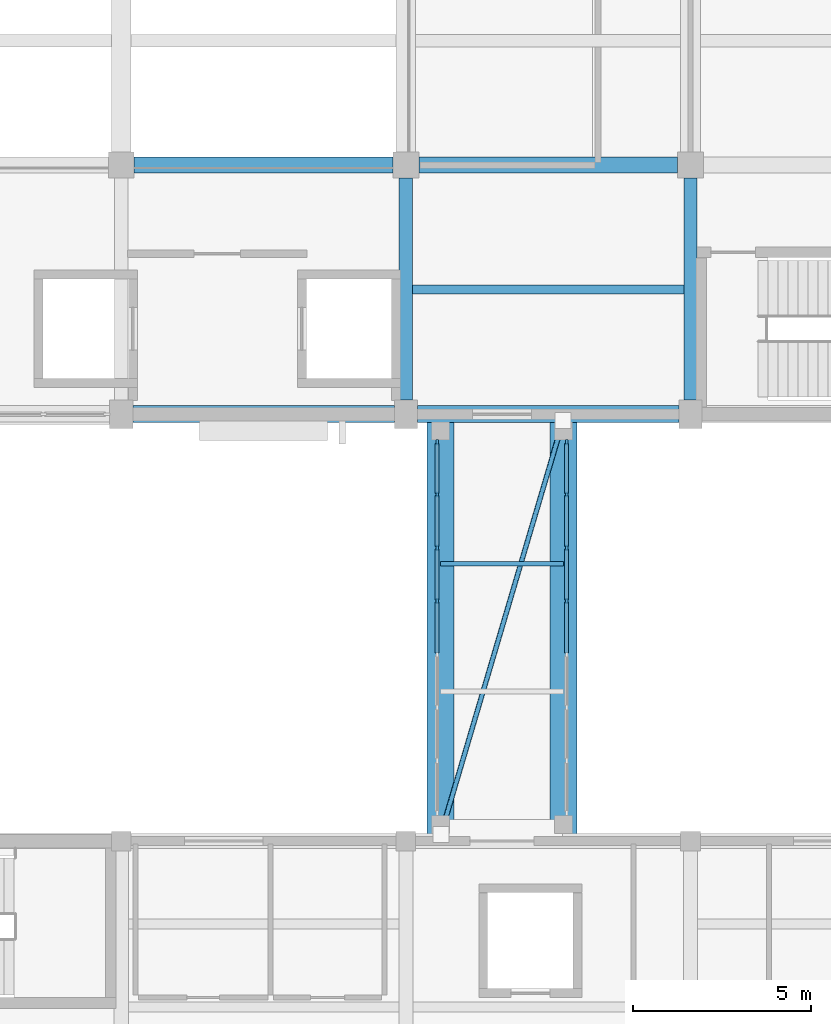
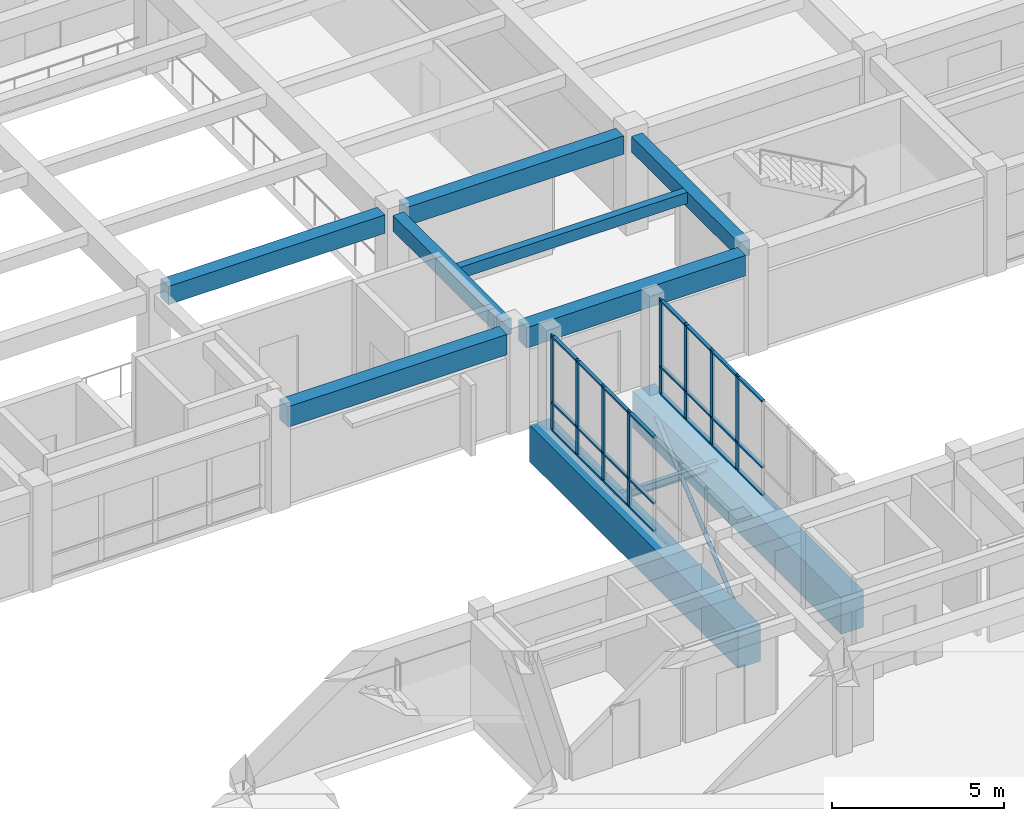
# One storey, part 10 of 42: 33 members, 10 beams, 2 elements without a shape of their own.
"""IFC4 building model written with IfcOpenShell, lengths in metres."""

from ifc_helpers import new_model, si_unit, direction, frame, origin, origin_2d, place, context, subcontext, project, spatial, rectangle, hollow_circle, i_section, extrude, material, layer, layer_set, material_profile, profile_set, type_object, element, aggregate, save


model = new_model("IFC4")

# Units and contexts
model_context = context("Model", 3, precision=1e-05, world=origin(), true_north=direction((0.0, 1.0)))
body_context = subcontext(model_context, "Body", "Model", "MODEL_VIEW")
ifc_project = project(units=[si_unit("LENGTHUNIT", "METRE"), si_unit("AREAUNIT", "SQUARE_METRE"), si_unit("VOLUMEUNIT", "CUBIC_METRE"), si_unit("PLANEANGLEUNIT", "RADIAN"), si_unit("MASSUNIT", "GRAM", prefix="KILO")], contexts=[model_context])

# Site, building, storey
site_placement = place(None, origin())
site = spatial("IfcSite", under=ifc_project, at=site_placement, CompositionType="ELEMENT")
building_placement = place(site_placement, origin())
building = spatial("IfcBuilding", under=site, at=building_placement, Name="Naurynzar Civic Courthouse", CompositionType="ELEMENT")
storey_placement = place(building_placement, frame((0.0, 0.0, 18.300048828125)))
storey = spatial("IfcBuildingStorey", under=building, at=storey_placement, Name="L05", CompositionType="ELEMENT", Elevation=18.300048828125)

# Beams
ifc_material_1 = material(Name="Concrete C40/50", Category="concrete")
ifc_material_profile_1 = material_profile(ifc_material_1, rectangle(XDim=0.25, YDim=0.39990234375, at=origin_2d()), Name="RCB 250x400")
ifc_profile_set_1 = profile_set([ifc_material_profile_1], Name="Concrete C40/50")
beam_type_1 = type_object("IfcBeamType", Name="BM-JST-250x400", PredefinedType="JOIST", material=ifc_profile_set_1)
beam_1_placement = place(storey_placement, frame((93.1875, 47.5, 3.27001953125), z_axis=(1.0, 0.0, 0.0), x_axis=(0.0, 1.0, 0.0)))
element("IfcBeam", 1, at=beam_1_placement, inside=storey, type_object=beam_type_1, Name="V2 secondary rib 802 L05", PredefinedType="JOIST", context=body_context, shape_type="SweptSolid", body=[
    extrude(rectangle(XDim=0.25, YDim=0.39990234375, at=origin_2d()), origin(), (0.0, 0.0, 1.0), 7.625),
])
ifc_material_2 = material(Name="Concrete C40/50", Category="concrete")
ifc_material_profile_2 = material_profile(ifc_material_2, rectangle(XDim=0.375, YDim=0.550048828125, at=origin_2d()), Name="RCB 375x550")
ifc_profile_set_2 = profile_set([ifc_material_profile_2], Name="Concrete C40/50")
beam_type_2 = type_object("IfcBeamType", Name="BM-RC-375x550", PredefinedType="BEAM", material=ifc_profile_set_2)
for number, where, z_axis, x_axis, name in (
    (2, (93.0, 44.39990234375, 3.195068359375), (0.0, 1.0, 0.0), (-1.0, 0.0, 0.0), "V2 girder Y-786 L05"),
    (3, (101.0, 44.39990234375, 3.195068359375), (0.0, 1.0, 0.0), (-1.0, 0.0, 0.0), "V2 girder Y-789 L05"),
):
    element("IfcBeam", number, at=place(storey_placement, frame(where, z_axis=z_axis, x_axis=x_axis)), inside=storey, type_object=beam_type_2, Name=name, PredefinedType="BEAM", context=body_context, shape_type="SweptSolid", body=[
        extrude(rectangle(XDim=0.375, YDim=0.550048828125, at=origin_2d()), origin(), (0.0, 0.0, 1.0), 6.237548828125),
    ])
ifc_material_3 = material(Name="Concrete C40/50", Category="concrete")
ifc_material_profile_3 = material_profile(ifc_material_3, rectangle(XDim=0.449951171875, YDim=0.64990234375, at=origin_2d()), Name="RCB 450x650")
ifc_profile_set_3 = profile_set([ifc_material_profile_3], Name="Concrete C40/50")
beam_type_3 = type_object("IfcBeamType", Name="BM-RC-450x650", PredefinedType="BEAM", material=ifc_profile_set_3)
for number, where, z_axis, x_axis, name in (
    (4, (85.362548828125, 51.0, 3.14501953125), (1.0, 0.0, 0.0), (0.0, 1.0, 0.0), "V2 beam X-753 L05"),
    (5, (93.362548828125, 51.0, 3.14501953125), (1.0, 0.0, 0.0), (0.0, 1.0, 0.0), "V2 beam X-754 L05"),
):
    element("IfcBeam", number, at=place(storey_placement, frame(where, z_axis=z_axis, x_axis=x_axis)), inside=storey, type_object=beam_type_3, Name=name, PredefinedType="BEAM", context=body_context, shape_type="SweptSolid", body=[
        extrude(rectangle(XDim=0.449951171875, YDim=0.64990234375, at=origin_2d()), origin(), (0.0, 0.0, 1.0), 7.27490234375),
    ])
ifc_material_4 = material(Name="Concrete C40/50", Category="concrete")
ifc_material_profile_4 = material_profile(ifc_material_4, rectangle(XDim=0.47509765625, YDim=0.72509765625, at=origin_2d()), Name="RCB 475x725")
ifc_profile_set_4 = profile_set([ifc_material_profile_4], Name="Concrete C40/50")
beam_type_4 = type_object("IfcBeamType", Name="BM-RC-475x725", PredefinedType="SPANDREL", material=ifc_profile_set_4)
for number, where, z_axis, x_axis, name in (
    (6, (85.324951171875, 44.0, 3.107421875), (1.0, 0.0, 0.0), (0.0, 1.0, 0.0), "V2 beam X-745 L05"),
    (7, (93.324951171875, 44.0, 3.107421875), (1.0, 0.0, 0.0), (0.0, 1.0, 0.0), "V2 beam X-746 L05"),
):
    element("IfcBeam", number, at=place(storey_placement, frame(where, z_axis=z_axis, x_axis=x_axis)), inside=storey, type_object=beam_type_4, Name=name, PredefinedType="SPANDREL", context=body_context, shape_type="SweptSolid", body=[
        extrude(rectangle(XDim=0.47509765625, YDim=0.72509765625, at=origin_2d()), origin(), (0.0, 0.0, 1.0), 7.35009765625),
    ])
ifc_material_5 = material(Name="Steel S355", Category="steel")
ifc_material_profile_5 = material_profile(ifc_material_5, i_section(OverallWidth=0.135009765625, OverallDepth=0.27001953125, WebThickness=0.006591796875, FlangeThickness=0.01025390625, FilletRadius=0.014892578125, at=origin_2d()), Name="IPE 270")
ifc_profile_set_5 = profile_set([ifc_material_profile_5], Name="Steel S355")
beam_type_5 = type_object("IfcBeamType", Name="BM-STL-IPE270", PredefinedType="BEAM", material=ifc_profile_set_5)
beam_2_placement = place(storey_placement, frame((93.969970703125, 39.7939453125, -0.375), z_axis=(1.0, 0.0, 0.0), x_axis=(0.0, 1.0, 0.0)))
element("IfcBeam", 8, at=beam_2_placement, inside=storey, type_object=beam_type_5, Name="BR-C1 deck cross-beam L05.2", PredefinedType="BEAM", context=body_context, shape_type="SweptSolid", body=[
    extrude(i_section(OverallWidth=0.135009765625, OverallDepth=0.27001953125, WebThickness=0.006591796875, FlangeThickness=0.01025390625, FilletRadius=0.014892578125, at=origin_2d()), origin(), (0.0, 0.0, 1.0), 3.4599609375),
])
ifc_material_6 = material(Name="Concrete C40/50", Category="concrete")
ifc_material_profile_6 = material_profile(ifc_material_6, rectangle(XDim=0.75, YDim=1.300048828125, at=origin_2d()), Name="RCT 750x1300")
ifc_profile_set_6 = profile_set([ifc_material_profile_6], Name="Concrete C40/50")
beam_type_6 = type_object("IfcBeamType", Name="BM-TR-750x1300", PredefinedType="SPANDREL", material=ifc_profile_set_6)
for number, where, z_axis, x_axis, name in (
    (9, (93.969970703125, 31.949951171875, -0.89013671875), (0.0, 1.0, 0.0), (-1.0, 0.0, 0.0), "Transfer Girder TG-01"),
    (10, (97.429931640625, 31.949951171875, -0.89013671875), (0.0, 1.0, 0.0), (-1.0, 0.0, 0.0), "Transfer Girder TG-01"),
):
    element("IfcBeam", number, at=place(storey_placement, frame(where, z_axis=z_axis, x_axis=x_axis)), inside=storey, type_object=beam_type_6, Name=name, PredefinedType="SPANDREL", context=body_context, shape_type="SweptSolid", body=[
        extrude(rectangle(XDim=0.75, YDim=1.300048828125, at=origin_2d()), origin(), (0.0, 0.0, 1.0), 12.10009765625),
    ])

# Curtain wall, members
ifc_material_7 = material(Name="Aluminium 6063-T6", Category="aluminium")
ifc_layer = layer(ifc_material_7, 0.14990234375)
ifc_layer_set = layer_set([ifc_layer], Name="CW-BRIDGE-1500")
curtain_wall_type = type_object("IfcCurtainWallType", Name="CW-BRIDGE-1500", PredefinedType="USERDEFINED", material=ifc_layer_set)
curtain_wall_1_placement = place(storey_placement, origin())
curtain_wall_1 = element("IfcCurtainWall", 11, at=curtain_wall_1_placement, inside=storey, type_object=curtain_wall_type, Name="BR-C1 glazed bridge screen L05.1", ObjectType="GLAZED BRIDGE SCREEN", PredefinedType="USERDEFINED")
ifc_material_8 = material(Name="Aluminium 6063-T6", Category="aluminium")
ifc_material_profile_7 = material_profile(ifc_material_8, rectangle(XDim=0.06005859375, YDim=0.14990234375, at=origin_2d()), Name="ALU MULLION 60x150")
ifc_profile_set_7 = profile_set([ifc_material_profile_7], Name="Aluminium 6063-T6")
member_type_1 = type_object("IfcMemberType", Name="CWM-60x150", PredefinedType="MULLION", material=ifc_profile_set_7)
member_1_placement = place(storey_placement, frame((93.8798828125, 43.2099609375, 0.0), z_axis=(0.0, 0.0, 1.0), x_axis=(1.0, 0.0, 0.0)))
member_1 = element("IfcMember", 12, at=member_1_placement, type_object=member_type_1, Name="CW-03 mullion 1", PredefinedType="MULLION", context=body_context, shape_type="SweptSolid", body=[
    extrude(rectangle(XDim=0.06005859375, YDim=0.14990234375, at=origin_2d()), origin(), (0.0, 0.0, 1.0), 3.369873046875),
])
member_2_placement = place(storey_placement, frame((93.8798828125, 41.742919921875, 0.0), z_axis=(0.0, 0.0, 1.0), x_axis=(1.0, 0.0, 0.0)))
member_2 = element("IfcMember", 13, at=member_2_placement, type_object=member_type_1, Name="CW-03 mullion 2", PredefinedType="MULLION", context=body_context, shape_type="SweptSolid", body=[
    extrude(rectangle(XDim=0.06005859375, YDim=0.14990234375, at=origin_2d()), origin(), (0.0, 0.0, 1.0), 3.369873046875),
])
member_3_placement = place(storey_placement, frame((93.8798828125, 40.24560546875, 0.0), z_axis=(0.0, 0.0, 1.0), x_axis=(1.0, 0.0, 0.0)))
member_3 = element("IfcMember", 14, at=member_3_placement, type_object=member_type_1, Name="CW-03 mullion 3", PredefinedType="MULLION", context=body_context, shape_type="SweptSolid", body=[
    extrude(rectangle(XDim=0.06005859375, YDim=0.14990234375, at=origin_2d()), origin(), (0.0, 0.0, 1.0), 3.369873046875),
])
member_4_placement = place(storey_placement, frame((93.8798828125, 38.74853515625, 0.0), z_axis=(0.0, 0.0, 1.0), x_axis=(1.0, 0.0, 0.0)))
member_4 = element("IfcMember", 15, at=member_4_placement, type_object=member_type_1, Name="CW-03 mullion 4", PredefinedType="MULLION", context=body_context, shape_type="SweptSolid", body=[
    extrude(rectangle(XDim=0.06005859375, YDim=0.14990234375, at=origin_2d()), origin(), (0.0, 0.0, 1.0), 3.369873046875),
])

curtain_wall_2_placement = place(storey_placement, origin())
curtain_wall_2 = element("IfcCurtainWall", 16, at=curtain_wall_2_placement, inside=storey, type_object=curtain_wall_type, Name="BR-C1 glazed bridge screen L05.2", ObjectType="GLAZED BRIDGE SCREEN", PredefinedType="USERDEFINED")
member_5_placement = place(storey_placement, frame((97.52001953125, 38.74853515625, 0.0), z_axis=(0.0, 0.0, 1.0), x_axis=(-1.0, 0.0, 0.0)))
member_5 = element("IfcMember", 17, at=member_5_placement, type_object=member_type_1, Name="CW-03 mullion 5", PredefinedType="MULLION", context=body_context, shape_type="SweptSolid", body=[
    extrude(rectangle(XDim=0.06005859375, YDim=0.14990234375, at=origin_2d()), origin(), (0.0, 0.0, 1.0), 3.369873046875),
])
member_6_placement = place(storey_placement, frame((97.52001953125, 40.24560546875, 0.0), z_axis=(0.0, 0.0, 1.0), x_axis=(-1.0, 0.0, 0.0)))
member_6 = element("IfcMember", 18, at=member_6_placement, type_object=member_type_1, Name="CW-03 mullion 6", PredefinedType="MULLION", context=body_context, shape_type="SweptSolid", body=[
    extrude(rectangle(XDim=0.06005859375, YDim=0.14990234375, at=origin_2d()), origin(), (0.0, 0.0, 1.0), 3.369873046875),
])
member_7_placement = place(storey_placement, frame((97.52001953125, 41.742919921875, 0.0), z_axis=(0.0, 0.0, 1.0), x_axis=(-1.0, 0.0, 0.0)))
member_7 = element("IfcMember", 19, at=member_7_placement, type_object=member_type_1, Name="CW-03 mullion 7", PredefinedType="MULLION", context=body_context, shape_type="SweptSolid", body=[
    extrude(rectangle(XDim=0.06005859375, YDim=0.14990234375, at=origin_2d()), origin(), (0.0, 0.0, 1.0), 3.369873046875),
])
member_8_placement = place(storey_placement, frame((97.52001953125, 43.2099609375, 0.0), z_axis=(0.0, 0.0, 1.0), x_axis=(-1.0, 0.0, 0.0)))
member_8 = element("IfcMember", 20, at=member_8_placement, type_object=member_type_1, Name="CW-03 mullion 8", PredefinedType="MULLION", context=body_context, shape_type="SweptSolid", body=[
    extrude(rectangle(XDim=0.06005859375, YDim=0.14990234375, at=origin_2d()), origin(), (0.0, 0.0, 1.0), 3.369873046875),
])

# Member
ifc_material_9 = material(Name="Aluminium 6063-T6", Category="aluminium")
ifc_material_profile_8 = material_profile(ifc_material_9, rectangle(XDim=0.110107421875, YDim=0.06005859375, at=origin_2d()), Name="ALU TRANSOM 60x110")
ifc_profile_set_8 = profile_set([ifc_material_profile_8], Name="Aluminium 6063-T6")
member_type_2 = type_object("IfcMemberType", Name="CWT-60x110", PredefinedType="USERDEFINED", material=ifc_profile_set_8)
member_9_placement = place(storey_placement, frame((93.8798828125, 43.179931640625, 0.030029296875), z_axis=(0.0, -1.0, 0.0), x_axis=(1.0, 0.0, 0.0)))
member_9 = element("IfcMember", 21, at=member_9_placement, type_object=member_type_2, Name="CW-03 transom 1.1", ObjectType="TRANSOM", PredefinedType="USERDEFINED", context=body_context, shape_type="SweptSolid", body=[
    extrude(rectangle(XDim=0.110107421875, YDim=0.06005859375, at=origin_2d()), origin(), (0.0, 0.0, 1.0), 1.406982421875),
])

member_10_placement = place(storey_placement, frame((93.8798828125, 43.179931640625, 1.0), z_axis=(0.0, -1.0, 0.0), x_axis=(1.0, 0.0, 0.0)))
member_10 = element("IfcMember", 22, at=member_10_placement, type_object=member_type_2, Name="CW-03 transom 1.2", ObjectType="TRANSOM", PredefinedType="USERDEFINED", context=body_context, shape_type="SweptSolid", body=[
    extrude(rectangle(XDim=0.110107421875, YDim=0.06005859375, at=origin_2d()), origin(), (0.0, 0.0, 1.0), 1.406982421875),
])

member_11_placement = place(storey_placement, frame((93.8798828125, 43.179931640625, 3.33984375), z_axis=(0.0, -1.0, 0.0), x_axis=(1.0, 0.0, 0.0)))
member_11 = element("IfcMember", 23, at=member_11_placement, type_object=member_type_2, Name="CW-03 transom 1.3", ObjectType="TRANSOM", PredefinedType="USERDEFINED", context=body_context, shape_type="SweptSolid", body=[
    extrude(rectangle(XDim=0.110107421875, YDim=0.06005859375, at=origin_2d()), origin(), (0.0, 0.0, 1.0), 1.406982421875),
])

member_12_placement = place(storey_placement, frame((93.8798828125, 41.712890625, 0.030029296875), z_axis=(0.0, -1.0, 0.0), x_axis=(1.0, 0.0, 0.0)))
member_12 = element("IfcMember", 24, at=member_12_placement, type_object=member_type_2, Name="CW-03 transom 2.1", ObjectType="TRANSOM", PredefinedType="USERDEFINED", context=body_context, shape_type="SweptSolid", body=[
    extrude(rectangle(XDim=0.110107421875, YDim=0.06005859375, at=origin_2d()), origin(), (0.0, 0.0, 1.0), 1.437255859375),
])

member_13_placement = place(storey_placement, frame((93.8798828125, 41.712890625, 1.0), z_axis=(0.0, -1.0, 0.0), x_axis=(1.0, 0.0, 0.0)))
member_13 = element("IfcMember", 25, at=member_13_placement, type_object=member_type_2, Name="CW-03 transom 2.2", ObjectType="TRANSOM", PredefinedType="USERDEFINED", context=body_context, shape_type="SweptSolid", body=[
    extrude(rectangle(XDim=0.110107421875, YDim=0.06005859375, at=origin_2d()), origin(), (0.0, 0.0, 1.0), 1.437255859375),
])

member_14_placement = place(storey_placement, frame((93.8798828125, 41.712890625, 3.33984375), z_axis=(0.0, -1.0, 0.0), x_axis=(1.0, 0.0, 0.0)))
member_14 = element("IfcMember", 26, at=member_14_placement, type_object=member_type_2, Name="CW-03 transom 2.3", ObjectType="TRANSOM", PredefinedType="USERDEFINED", context=body_context, shape_type="SweptSolid", body=[
    extrude(rectangle(XDim=0.110107421875, YDim=0.06005859375, at=origin_2d()), origin(), (0.0, 0.0, 1.0), 1.437255859375),
])

member_15_placement = place(storey_placement, frame((93.8798828125, 40.2158203125, 0.030029296875), z_axis=(0.0, -1.0, 0.0), x_axis=(1.0, 0.0, 0.0)))
member_15 = element("IfcMember", 27, at=member_15_placement, type_object=member_type_2, Name="CW-03 transom 3.1", ObjectType="TRANSOM", PredefinedType="USERDEFINED", context=body_context, shape_type="SweptSolid", body=[
    extrude(rectangle(XDim=0.110107421875, YDim=0.06005859375, at=origin_2d()), origin(), (0.0, 0.0, 1.0), 1.437255859375),
])

member_16_placement = place(storey_placement, frame((93.8798828125, 40.2158203125, 1.0), z_axis=(0.0, -1.0, 0.0), x_axis=(1.0, 0.0, 0.0)))
member_16 = element("IfcMember", 28, at=member_16_placement, type_object=member_type_2, Name="CW-03 transom 3.2", ObjectType="TRANSOM", PredefinedType="USERDEFINED", context=body_context, shape_type="SweptSolid", body=[
    extrude(rectangle(XDim=0.110107421875, YDim=0.06005859375, at=origin_2d()), origin(), (0.0, 0.0, 1.0), 1.437255859375),
])

member_17_placement = place(storey_placement, frame((93.8798828125, 40.2158203125, 3.33984375), z_axis=(0.0, -1.0, 0.0), x_axis=(1.0, 0.0, 0.0)))
member_17 = element("IfcMember", 29, at=member_17_placement, type_object=member_type_2, Name="CW-03 transom 3.3", ObjectType="TRANSOM", PredefinedType="USERDEFINED", context=body_context, shape_type="SweptSolid", body=[
    extrude(rectangle(XDim=0.110107421875, YDim=0.06005859375, at=origin_2d()), origin(), (0.0, 0.0, 1.0), 1.437255859375),
])

member_18_placement = place(storey_placement, frame((93.8798828125, 38.718505859375, 0.030029296875), z_axis=(0.0, -1.0, 0.0), x_axis=(1.0, 0.0, 0.0)))
member_18 = element("IfcMember", 30, at=member_18_placement, type_object=member_type_2, Name="CW-03 transom 4.1", ObjectType="TRANSOM", PredefinedType="USERDEFINED", context=body_context, shape_type="SweptSolid", body=[
    extrude(rectangle(XDim=0.110107421875, YDim=0.06005859375, at=origin_2d()), origin(), (0.0, 0.0, 1.0), 1.43701171875),
])

member_19_placement = place(storey_placement, frame((93.8798828125, 38.718505859375, 1.0), z_axis=(0.0, -1.0, 0.0), x_axis=(1.0, 0.0, 0.0)))
member_19 = element("IfcMember", 31, at=member_19_placement, type_object=member_type_2, Name="CW-03 transom 4.2", ObjectType="TRANSOM", PredefinedType="USERDEFINED", context=body_context, shape_type="SweptSolid", body=[
    extrude(rectangle(XDim=0.110107421875, YDim=0.06005859375, at=origin_2d()), origin(), (0.0, 0.0, 1.0), 1.43701171875),
])

member_20_placement = place(storey_placement, frame((93.8798828125, 38.718505859375, 3.33984375), z_axis=(0.0, -1.0, 0.0), x_axis=(1.0, 0.0, 0.0)))
member_20 = element("IfcMember", 32, at=member_20_placement, type_object=member_type_2, Name="CW-03 transom 4.3", ObjectType="TRANSOM", PredefinedType="USERDEFINED", context=body_context, shape_type="SweptSolid", body=[
    extrude(rectangle(XDim=0.110107421875, YDim=0.06005859375, at=origin_2d()), origin(), (0.0, 0.0, 1.0), 1.43701171875),
])

aggregate(curtain_wall_1, [member_1, member_2, member_3, member_4, member_9, member_10, member_11, member_12, member_13, member_14, member_15, member_16, member_17, member_18, member_19, member_20])

member_21_placement = place(storey_placement, frame((97.52001953125, 37.281494140625, 0.030029296875), z_axis=(0.0, 1.0, 0.0), x_axis=(-1.0, 0.0, 0.0)))
member_21 = element("IfcMember", 33, at=member_21_placement, type_object=member_type_2, Name="CW-03 transom 4.1", ObjectType="TRANSOM", PredefinedType="USERDEFINED", context=body_context, shape_type="SweptSolid", body=[
    extrude(rectangle(XDim=0.110107421875, YDim=0.06005859375, at=origin_2d()), origin(), (0.0, 0.0, 1.0), 1.43701171875),
])

member_22_placement = place(storey_placement, frame((97.52001953125, 37.281494140625, 1.0), z_axis=(0.0, 1.0, 0.0), x_axis=(-1.0, 0.0, 0.0)))
member_22 = element("IfcMember", 34, at=member_22_placement, type_object=member_type_2, Name="CW-03 transom 4.2", ObjectType="TRANSOM", PredefinedType="USERDEFINED", context=body_context, shape_type="SweptSolid", body=[
    extrude(rectangle(XDim=0.110107421875, YDim=0.06005859375, at=origin_2d()), origin(), (0.0, 0.0, 1.0), 1.43701171875),
])

member_23_placement = place(storey_placement, frame((97.52001953125, 37.281494140625, 3.33984375), z_axis=(0.0, 1.0, 0.0), x_axis=(-1.0, 0.0, 0.0)))
member_23 = element("IfcMember", 35, at=member_23_placement, type_object=member_type_2, Name="CW-03 transom 4.3", ObjectType="TRANSOM", PredefinedType="USERDEFINED", context=body_context, shape_type="SweptSolid", body=[
    extrude(rectangle(XDim=0.110107421875, YDim=0.06005859375, at=origin_2d()), origin(), (0.0, 0.0, 1.0), 1.43701171875),
])

member_24_placement = place(storey_placement, frame((97.52001953125, 38.778564453125, 0.030029296875), z_axis=(0.0, 1.0, 0.0), x_axis=(-1.0, 0.0, 0.0)))
member_24 = element("IfcMember", 36, at=member_24_placement, type_object=member_type_2, Name="CW-03 transom 5.1", ObjectType="TRANSOM", PredefinedType="USERDEFINED", context=body_context, shape_type="SweptSolid", body=[
    extrude(rectangle(XDim=0.110107421875, YDim=0.06005859375, at=origin_2d()), origin(), (0.0, 0.0, 1.0), 1.437255859375),
])

member_25_placement = place(storey_placement, frame((97.52001953125, 38.778564453125, 1.0), z_axis=(0.0, 1.0, 0.0), x_axis=(-1.0, 0.0, 0.0)))
member_25 = element("IfcMember", 37, at=member_25_placement, type_object=member_type_2, Name="CW-03 transom 5.2", ObjectType="TRANSOM", PredefinedType="USERDEFINED", context=body_context, shape_type="SweptSolid", body=[
    extrude(rectangle(XDim=0.110107421875, YDim=0.06005859375, at=origin_2d()), origin(), (0.0, 0.0, 1.0), 1.437255859375),
])

member_26_placement = place(storey_placement, frame((97.52001953125, 38.778564453125, 3.33984375), z_axis=(0.0, 1.0, 0.0), x_axis=(-1.0, 0.0, 0.0)))
member_26 = element("IfcMember", 38, at=member_26_placement, type_object=member_type_2, Name="CW-03 transom 5.3", ObjectType="TRANSOM", PredefinedType="USERDEFINED", context=body_context, shape_type="SweptSolid", body=[
    extrude(rectangle(XDim=0.110107421875, YDim=0.06005859375, at=origin_2d()), origin(), (0.0, 0.0, 1.0), 1.437255859375),
])

member_27_placement = place(storey_placement, frame((97.52001953125, 40.275634765625, 0.030029296875), z_axis=(0.0, 1.0, 0.0), x_axis=(-1.0, 0.0, 0.0)))
member_27 = element("IfcMember", 39, at=member_27_placement, type_object=member_type_2, Name="CW-03 transom 6.1", ObjectType="TRANSOM", PredefinedType="USERDEFINED", context=body_context, shape_type="SweptSolid", body=[
    extrude(rectangle(XDim=0.110107421875, YDim=0.06005859375, at=origin_2d()), origin(), (0.0, 0.0, 1.0), 1.437255859375),
])

member_28_placement = place(storey_placement, frame((97.52001953125, 40.275634765625, 1.0), z_axis=(0.0, 1.0, 0.0), x_axis=(-1.0, 0.0, 0.0)))
member_28 = element("IfcMember", 40, at=member_28_placement, type_object=member_type_2, Name="CW-03 transom 6.2", ObjectType="TRANSOM", PredefinedType="USERDEFINED", context=body_context, shape_type="SweptSolid", body=[
    extrude(rectangle(XDim=0.110107421875, YDim=0.06005859375, at=origin_2d()), origin(), (0.0, 0.0, 1.0), 1.437255859375),
])

member_29_placement = place(storey_placement, frame((97.52001953125, 40.275634765625, 3.33984375), z_axis=(0.0, 1.0, 0.0), x_axis=(-1.0, 0.0, 0.0)))
member_29 = element("IfcMember", 41, at=member_29_placement, type_object=member_type_2, Name="CW-03 transom 6.3", ObjectType="TRANSOM", PredefinedType="USERDEFINED", context=body_context, shape_type="SweptSolid", body=[
    extrude(rectangle(XDim=0.110107421875, YDim=0.06005859375, at=origin_2d()), origin(), (0.0, 0.0, 1.0), 1.437255859375),
])

member_30_placement = place(storey_placement, frame((97.52001953125, 41.77294921875, 0.030029296875), z_axis=(0.0, 1.0, 0.0), x_axis=(-1.0, 0.0, 0.0)))
member_30 = element("IfcMember", 42, at=member_30_placement, type_object=member_type_2, Name="CW-03 transom 7.1", ObjectType="TRANSOM", PredefinedType="USERDEFINED", context=body_context, shape_type="SweptSolid", body=[
    extrude(rectangle(XDim=0.110107421875, YDim=0.06005859375, at=origin_2d()), origin(), (0.0, 0.0, 1.0), 1.406982421875),
])

member_31_placement = place(storey_placement, frame((97.52001953125, 41.77294921875, 1.0), z_axis=(0.0, 1.0, 0.0), x_axis=(-1.0, 0.0, 0.0)))
member_31 = element("IfcMember", 43, at=member_31_placement, type_object=member_type_2, Name="CW-03 transom 7.2", ObjectType="TRANSOM", PredefinedType="USERDEFINED", context=body_context, shape_type="SweptSolid", body=[
    extrude(rectangle(XDim=0.110107421875, YDim=0.06005859375, at=origin_2d()), origin(), (0.0, 0.0, 1.0), 1.406982421875),
])

member_32_placement = place(storey_placement, frame((97.52001953125, 41.77294921875, 3.33984375), z_axis=(0.0, 1.0, 0.0), x_axis=(-1.0, 0.0, 0.0)))
member_32 = element("IfcMember", 44, at=member_32_placement, type_object=member_type_2, Name="CW-03 transom 7.3", ObjectType="TRANSOM", PredefinedType="USERDEFINED", context=body_context, shape_type="SweptSolid", body=[
    extrude(rectangle(XDim=0.110107421875, YDim=0.06005859375, at=origin_2d()), origin(), (0.0, 0.0, 1.0), 1.406982421875),
])

aggregate(curtain_wall_2, [member_5, member_6, member_7, member_8, member_21, member_22, member_23, member_24, member_25, member_26, member_27, member_28, member_29, member_30, member_31, member_32])

ifc_material_10 = material(Name="Steel S355", Category="steel")
ifc_material_profile_9 = material_profile(ifc_material_10, hollow_circle(Radius=0.06982421875, WallThickness=0.008056640625, at=origin_2d()), Name="CHS 139.7x8")
ifc_profile_set_9 = profile_set([ifc_material_profile_9], Name="Steel S355")
member_type_3 = type_object("IfcMemberType", Name="MEM-BRACE-CHS139", PredefinedType="BRACE", material=ifc_profile_set_9)
member_33_placement = place(storey_placement, frame((93.97998046875, 32.179931640625, -0.405029296875), z_axis=(0.283407524243, 0.95899956997, 0.0), x_axis=(-0.95899956997, 0.283407524243, 0.0)))
element("IfcMember", 45, at=member_33_placement, inside=storey, type_object=member_type_3, Name="BR-C1 wind brace L05.1", PredefinedType="BRACE", context=body_context, shape_type="SweptSolid", body=[
    extrude(hollow_circle(Radius=0.06982421875, WallThickness=0.008056640625, at=origin_2d()), origin(), (0.0, 0.0, 1.0), 12.1376953125),
])

save(model, "model.ifc")
